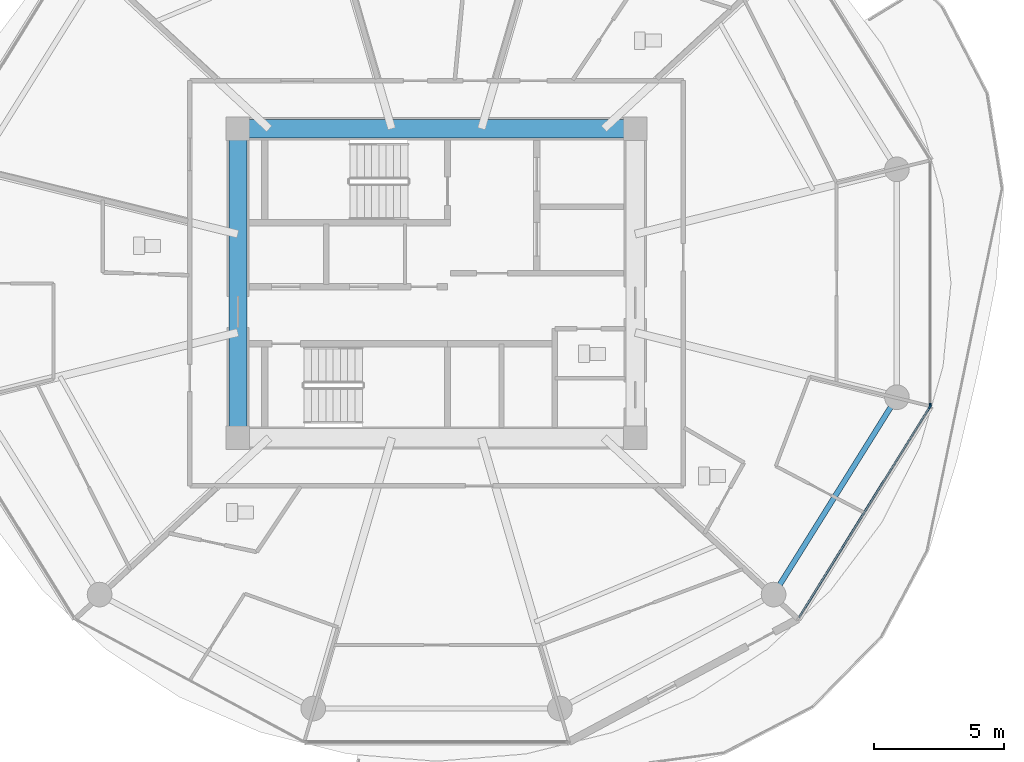
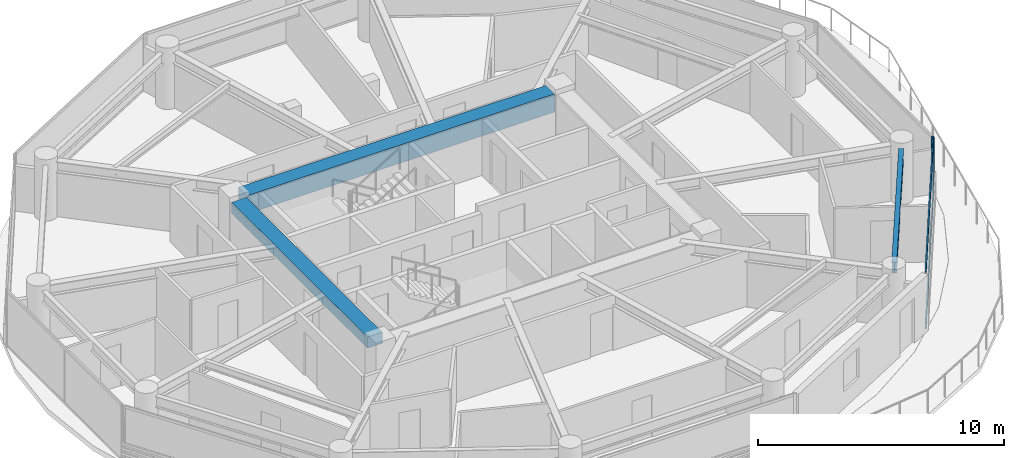
# One storey, part 11 of 27: 4 members, 3 beams, 2 elements without a shape of their own.
"""IFC4 building model written with IfcOpenShell, lengths in metres."""

from ifc_helpers import new_model, si_unit, direction, frame, origin, origin_2d, place, context, subcontext, project, spatial, rectangle, i_section, extrude, source, transform, mapped, material, layer, layer_set, material_profile, profile_set, type_object, type_shapes, element, aggregate, save


model = new_model("IFC4")

# Units and contexts
model_context = context("Model", 3, precision=1e-05, world=origin(), true_north=direction((0.0, 1.0)))
body_context = subcontext(model_context, "Body", "Model", "MODEL_VIEW")
ifc_project = project(units=[si_unit("LENGTHUNIT", "METRE"), si_unit("AREAUNIT", "SQUARE_METRE"), si_unit("VOLUMEUNIT", "CUBIC_METRE"), si_unit("PLANEANGLEUNIT", "RADIAN"), si_unit("MASSUNIT", "GRAM", prefix="KILO")], contexts=[model_context])

# Site, building, storey
site_placement = place(None, origin())
site = spatial("IfcSite", under=ifc_project, at=site_placement, CompositionType="ELEMENT")
building_placement = place(site_placement, origin())
building = spatial("IfcBuilding", under=site, at=building_placement, Name="Norrkilde Senior Care Towers", CompositionType="ELEMENT")
storey_placement = place(building_placement, frame((0.0, 0.0, 36.85009765625)))
storey = spatial("IfcBuildingStorey", under=building, at=storey_placement, Name="L10", CompositionType="ELEMENT", Elevation=36.85009765625)

# Beams
ifc_material_1 = material(Name="Concrete C60/75", Category="concrete")
ifc_material_profile_1 = material_profile(ifc_material_1, rectangle(XDim=0.699951171875, YDim=0.89990234375, at=origin_2d()), Name="RC BM 700x900")
ifc_profile_set_1 = profile_set([ifc_material_profile_1], Name="Concrete C60/75")
beam_type_1 = type_object("IfcBeamType", Name="Core Coupling Girder 700x900", PredefinedType="USERDEFINED", material=ifc_profile_set_1)
shared_shape_1 = source(origin(), body_context, "Body", "SweptSolid", [
    extrude(rectangle(XDim=0.699951171875, YDim=0.89990234375, at=origin_2d()), origin(), (0.0, 0.0, 1.0), 14.43994140625),
])
type_shapes(beam_type_1, [shared_shape_1])
beam_1_placement = place(storey_placement, frame((20.780029296875, 5.949951171875, 2.33984375), z_axis=(1.0, 0.0, 0.0), x_axis=(0.0, 1.0, 0.0)))
element("IfcBeam", 1, at=beam_1_placement, inside=storey, type_object=beam_type_1, Name="L10 Core E N Coupling Girder", ObjectType="GIRDER", PredefinedType="USERDEFINED", context=body_context, shape_type="MappedRepresentation", body=[
    mapped(shared_shape_1, transform((0.0, 0.0, 0.0), x_axis=(1.0, 0.0, 0.0), y_axis=(0.0, 1.0, 0.0), z_axis=(0.0, 0.0, 1.0), scale=1.0)),
])
ifc_material_profile_2 = material_profile(ifc_material_1, rectangle(XDim=0.699951171875, YDim=0.550048828125, at=origin_2d()), Name="RC BM 700x550")
ifc_profile_set_2 = profile_set([ifc_material_profile_2], Name="Concrete C60/75")
beam_type_2 = type_object("IfcBeamType", Name="Core Portal Coupling Beam 700x550", PredefinedType="USERDEFINED", material=ifc_profile_set_2)
shared_shape_2 = source(origin(), body_context, "Body", "SweptSolid", [
    extrude(rectangle(XDim=0.699951171875, YDim=0.550048828125, at=origin_2d()), origin(), (0.0, 0.0, 1.0), 11.0400390625),
])
type_shapes(beam_type_2, [shared_shape_2])
beam_2_placement = place(storey_placement, frame((20.35009765625, -5.52001953125, 2.514892578125), z_axis=(0.0, 1.0, 0.0), x_axis=(-1.0, 0.0, 0.0)))
element("IfcBeam", 2, at=beam_2_placement, inside=storey, type_object=beam_type_2, Name="L10 Core E W Coupling Girder", ObjectType="GIRDER", PredefinedType="USERDEFINED", context=body_context, shape_type="MappedRepresentation", body=[
    mapped(shared_shape_2, transform((0.0, 0.0, 0.0), x_axis=(1.0, 0.0, 0.0), y_axis=(0.0, 1.0, 0.0), z_axis=(0.0, 0.0, 1.0), scale=1.0)),
])
ifc_material_2 = material(Name="Steel S355", Category="steel")
ifc_material_profile_3 = material_profile(ifc_material_2, i_section(OverallWidth=0.2099609375, OverallDepth=0.550048828125, WebThickness=0.010986328125, FlangeThickness=0.01708984375, FilletRadius=0.02392578125, at=origin_2d()), Name="IPE 550")
ifc_profile_set_3 = profile_set([ifc_material_profile_3], Name="Steel S355")
beam_type_3 = type_object("IfcBeamType", Name="Perimeter Ring Spandrel Z1 IPE550", PredefinedType="SPANDREL", material=ifc_profile_set_3)
shared_shape_3 = source(origin(), body_context, "Body", "SweptSolid", [
    extrude(i_section(OverallWidth=0.2099609375, OverallDepth=0.550048828125, WebThickness=0.010986328125, FlangeThickness=0.01708984375, FilletRadius=0.02392578125, at=origin_2d()), origin(), (0.0, 0.0, 1.0), 8.090576171875),
])
type_shapes(beam_type_3, [shared_shape_3])
beam_3_placement = place(storey_placement, frame((41.2060546875, -11.61669921875, 2.514892578125), z_axis=(0.530004364821, 0.84799491347, 0.0), x_axis=(-0.84799491347, 0.530004364821, 0.0)))
element("IfcBeam", 3, at=beam_3_placement, inside=storey, type_object=beam_type_3, Name="L10 Drum E Perimeter Spandrel 11", PredefinedType="SPANDREL", context=body_context, shape_type="MappedRepresentation", body=[
    mapped(shared_shape_3, transform((0.0, 0.0, 0.0), x_axis=(1.0, 0.0, 0.0), y_axis=(0.0, 1.0, 0.0), z_axis=(0.0, 0.0, 1.0), scale=1.0)),
])

# Curtain wall, member
ifc_material_3 = material(Name="Triple Low-E Insulated Glazing", Category="glass")
ifc_layer = layer(ifc_material_3, 0.199951171875)
ifc_layer_set = layer_set([ifc_layer], Name="Triple Low-E Insulated Glazing")
curtain_wall_type = type_object("IfcCurtainWallType", Name="CW2 Zone 1 Memory Care Curtain Wall", PredefinedType="NOTDEFINED", material=ifc_layer_set)
curtain_wall_1_placement = place(storey_placement, origin())
curtain_wall_1 = element("IfcCurtainWall", 4, at=curtain_wall_1_placement, inside=storey, type_object=curtain_wall_type, Name="L10 Drum E Curtain Wall 10", PredefinedType="NOTDEFINED")
ifc_material_4 = material(Name="Anodised Aluminium", Category="aluminium")
ifc_material_profile_4 = material_profile(ifc_material_4, rectangle(XDim=0.06494140625, YDim=0.159912109375, at=origin_2d()), Name="ALU MULL 65x160")
ifc_profile_set_4 = profile_set([ifc_material_profile_4], Name="Anodised Aluminium")
member_type_1 = type_object("IfcMemberType", Name="Curtain Wall Mullion Z1-Z2 65x160", PredefinedType="MULLION", material=ifc_profile_set_4)
shared_shape_4 = source(origin(), body_context, "Body", "SweptSolid", [
    extrude(rectangle(XDim=0.06494140625, YDim=0.159912109375, at=origin_2d()), origin(), (0.0, 0.0, 1.0), 2.789794921875),
])
type_shapes(member_type_1, [shared_shape_4])
member_1_placement = place(storey_placement, frame((46.9921875, -4.7587890625, 0.0), z_axis=(0.0, 0.0, 1.0), x_axis=(0.849305943117, -0.527900951871, 0.0)))
member_1 = element("IfcMember", 5, at=member_1_placement, type_object=member_type_1, Name="CW-2 mullion 1", PredefinedType="MULLION", context=body_context, shape_type="MappedRepresentation", body=[
    mapped(shared_shape_4, transform((0.0, 0.0, 0.0), x_axis=(1.0, 0.0, 0.0), y_axis=(0.0, 1.0, 0.0), z_axis=(0.0, 0.0, 1.0), scale=1.0)),
])

curtain_wall_2_placement = place(storey_placement, origin())
curtain_wall_2 = element("IfcCurtainWall", 6, at=curtain_wall_2_placement, inside=storey, type_object=curtain_wall_type, Name="L10 Drum E Curtain Wall 11", PredefinedType="NOTDEFINED")
member_2_placement = place(storey_placement, frame((47.009521484375, -4.69873046875, 0.0), z_axis=(0.0, 0.0, 1.0), x_axis=(1.0, 0.0, 0.0)))
member_2 = element("IfcMember", 7, at=member_2_placement, type_object=member_type_1, Name="CW-2 mullion 2", PredefinedType="MULLION", context=body_context, shape_type="MappedRepresentation", body=[
    mapped(shared_shape_4, transform((0.0, 0.0, 0.0), x_axis=(1.0, 0.0, 0.0), y_axis=(0.0, 1.0, 0.0), z_axis=(0.0, 0.0, 1.0), scale=1.0)),
])
aggregate(curtain_wall_2, [member_2])

# Member
ifc_material_profile_5 = material_profile(ifc_material_4, rectangle(XDim=0.06005859375, YDim=0.1201171875, at=origin_2d()), Name="ALU TRAN 60x120")
ifc_profile_set_5 = profile_set([ifc_material_profile_5], Name="Anodised Aluminium")
member_type_2 = type_object("IfcMemberType", Name="Curtain Wall Transom Typical 60x120", PredefinedType="USERDEFINED", material=ifc_profile_set_5)
shared_shape_5 = source(origin(), body_context, "Body", "SweptSolid", [
    extrude(rectangle(XDim=0.06005859375, YDim=0.1201171875, at=origin_2d()), origin(), (0.0, 0.0, 1.0), 9.5185546875),
])
type_shapes(member_type_2, [shared_shape_5])
member_3_placement = place(storey_placement, frame((46.97509765625, -4.786376953125, 0.02978515625), z_axis=(-0.527901620669, -0.849305527413, 0.0), x_axis=(0.849305527413, -0.527901620669, 0.0)))
member_3 = element("IfcMember", 8, at=member_3_placement, type_object=member_type_2, Name="CW-2 transom 1.1", ObjectType="TRANSOM", PredefinedType="USERDEFINED", context=body_context, shape_type="MappedRepresentation", body=[
    mapped(shared_shape_5, transform((0.0, 0.0, 0.0), x_axis=(1.0, 0.0, 0.0), y_axis=(0.0, 1.0, 0.0), z_axis=(0.0, 0.0, 1.0), scale=1.0)),
])

member_4_placement = place(storey_placement, frame((46.97509765625, -4.786376953125, 2.760009765625), z_axis=(-0.527901620669, -0.849305527413, 0.0), x_axis=(0.849305527413, -0.527901620669, 0.0)))
member_4 = element("IfcMember", 9, at=member_4_placement, type_object=member_type_2, Name="CW-2 transom 1.2", ObjectType="TRANSOM", PredefinedType="USERDEFINED", context=body_context, shape_type="MappedRepresentation", body=[
    mapped(shared_shape_5, transform((0.0, 0.0, 0.0), x_axis=(1.0, 0.0, 0.0), y_axis=(0.0, 1.0, 0.0), z_axis=(0.0, 0.0, 1.0), scale=1.0)),
])

aggregate(curtain_wall_1, [member_1, member_3, member_4])

save(model, "model.ifc")
